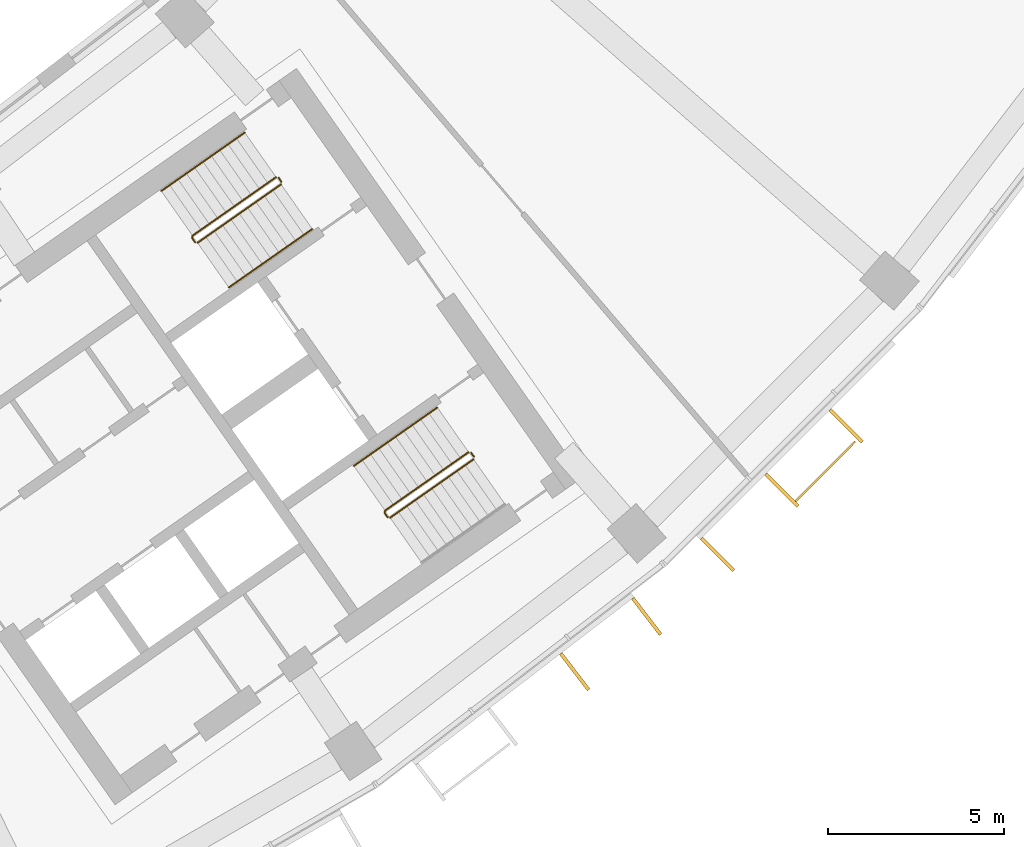
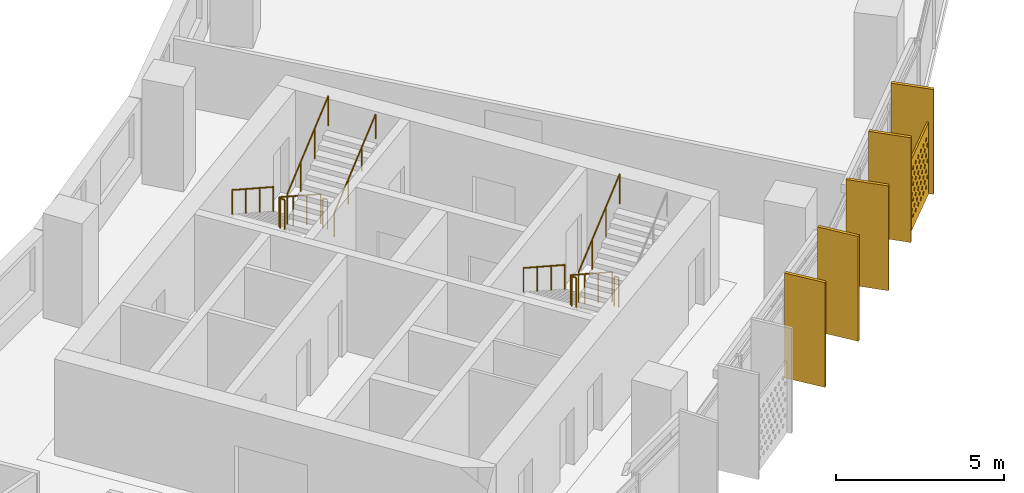
# One storey, part 26 of 27: 9 railings, 6 shading devices.
"""IFC4 building model written with IfcOpenShell, lengths in metres."""

from ifc_helpers import new_model, si_unit, direction, frame, origin, origin_2d, place, context, subcontext, project, spatial, polyline, rectangle, circle, outline, extrude, material, material_profile, profile_set, type_object, element, save


model = new_model("IFC4")

# Units and contexts
model_context = context("Model", 3, precision=1e-05, world=origin(), true_north=direction((0.0, 1.0)))
body_context = subcontext(model_context, "Body", "Model", "MODEL_VIEW")
ifc_project = project(units=[si_unit("LENGTHUNIT", "METRE"), si_unit("AREAUNIT", "SQUARE_METRE"), si_unit("VOLUMEUNIT", "CUBIC_METRE"), si_unit("PLANEANGLEUNIT", "RADIAN"), si_unit("MASSUNIT", "GRAM", prefix="KILO")], contexts=[model_context])

# Site, building, storey
site_placement = place(None, origin())
site = spatial("IfcSite", under=ifc_project, at=site_placement, CompositionType="ELEMENT")
building_placement = place(site_placement, origin())
building = spatial("IfcBuilding", under=site, at=building_placement, Name="Qamariyya Broadcast Tower", CompositionType="ELEMENT")
storey_placement = place(building_placement, frame((0.0, 0.0, 191.10009765625)))
storey = spatial("IfcBuildingStorey", under=building, at=storey_placement, Name="L45", CompositionType="ELEMENT", Elevation=191.10009765625)

# Shading device
ifc_material_1 = material(Name="Perforated glazed terracotta", Category="masonry")
ifc_material_profile_1 = material_profile(ifc_material_1, outline(polyline([(-1.199951171875, -1.300048828125), (1.199951171875, -1.300048828125), (1.199951171875, 1.300048828125), (-1.199951171875, 1.300048828125), (-1.199951171875, -1.300048828125)]), holes=[polyline([(-0.81494140625, -0.86669921875), (-0.89990234375, -0.78173828125), (-0.985107421875, -0.86669921875), (-0.89990234375, -0.95166015625), (-0.81494140625, -0.86669921875)]), polyline([(-0.514892578125, -0.86669921875), (-0.60009765625, -0.78173828125), (-0.68505859375, -0.86669921875), (-0.60009765625, -0.95166015625), (-0.514892578125, -0.86669921875)]), polyline([(-0.215087890625, -0.86669921875), (-0.300048828125, -0.78173828125), (-0.385009765625, -0.86669921875), (-0.300048828125, -0.95166015625), (-0.215087890625, -0.86669921875)]), polyline([(0.0849609375, -0.86669921875), (0.0, -0.78173828125), (-0.0849609375, -0.86669921875), (0.0, -0.95166015625), (0.0849609375, -0.86669921875)]), polyline([(0.385009765625, -0.86669921875), (0.300048828125, -0.78173828125), (0.215087890625, -0.86669921875), (0.300048828125, -0.95166015625), (0.385009765625, -0.86669921875)]), polyline([(0.68505859375, -0.86669921875), (0.60009765625, -0.78173828125), (0.514892578125, -0.86669921875), (0.60009765625, -0.95166015625), (0.68505859375, -0.86669921875)]), polyline([(0.985107421875, -0.86669921875), (0.89990234375, -0.78173828125), (0.81494140625, -0.86669921875), (0.89990234375, -0.95166015625), (0.985107421875, -0.86669921875)]), polyline([(-0.965087890625, -0.577880859375), (-1.050048828125, -0.49267578125), (-1.135009765625, -0.577880859375), (-1.050048828125, -0.662841796875), (-0.965087890625, -0.577880859375)]), polyline([(-0.6650390625, -0.577880859375), (-0.75, -0.49267578125), (-0.8349609375, -0.577880859375), (-0.75, -0.662841796875), (-0.6650390625, -0.577880859375)]), polyline([(-0.364990234375, -0.577880859375), (-0.449951171875, -0.49267578125), (-0.534912109375, -0.577880859375), (-0.449951171875, -0.662841796875), (-0.364990234375, -0.577880859375)]), polyline([(-0.06494140625, -0.577880859375), (-0.14990234375, -0.49267578125), (-0.235107421875, -0.577880859375), (-0.14990234375, -0.662841796875), (-0.06494140625, -0.577880859375)]), polyline([(0.235107421875, -0.577880859375), (0.14990234375, -0.49267578125), (0.06494140625, -0.577880859375), (0.14990234375, -0.662841796875), (0.235107421875, -0.577880859375)]), polyline([(0.534912109375, -0.577880859375), (0.449951171875, -0.49267578125), (0.364990234375, -0.577880859375), (0.449951171875, -0.662841796875), (0.534912109375, -0.577880859375)]), polyline([(0.8349609375, -0.577880859375), (0.75, -0.49267578125), (0.6650390625, -0.577880859375), (0.75, -0.662841796875), (0.8349609375, -0.577880859375)]), polyline([(1.135009765625, -0.577880859375), (1.050048828125, -0.49267578125), (0.965087890625, -0.577880859375), (1.050048828125, -0.662841796875), (1.135009765625, -0.577880859375)]), polyline([(-0.81494140625, -0.288818359375), (-0.89990234375, -0.203857421875), (-0.985107421875, -0.288818359375), (-0.89990234375, -0.373779296875), (-0.81494140625, -0.288818359375)]), polyline([(-0.514892578125, -0.288818359375), (-0.60009765625, -0.203857421875), (-0.68505859375, -0.288818359375), (-0.60009765625, -0.373779296875), (-0.514892578125, -0.288818359375)]), polyline([(-0.215087890625, -0.288818359375), (-0.300048828125, -0.203857421875), (-0.385009765625, -0.288818359375), (-0.300048828125, -0.373779296875), (-0.215087890625, -0.288818359375)]), polyline([(0.0849609375, -0.288818359375), (0.0, -0.203857421875), (-0.0849609375, -0.288818359375), (0.0, -0.373779296875), (0.0849609375, -0.288818359375)]), polyline([(0.385009765625, -0.288818359375), (0.300048828125, -0.203857421875), (0.215087890625, -0.288818359375), (0.300048828125, -0.373779296875), (0.385009765625, -0.288818359375)]), polyline([(0.68505859375, -0.288818359375), (0.60009765625, -0.203857421875), (0.514892578125, -0.288818359375), (0.60009765625, -0.373779296875), (0.68505859375, -0.288818359375)]), polyline([(0.985107421875, -0.288818359375), (0.89990234375, -0.203857421875), (0.81494140625, -0.288818359375), (0.89990234375, -0.373779296875), (0.985107421875, -0.288818359375)]), polyline([(-0.965087890625, 0.0), (-1.050048828125, 0.0849609375), (-1.135009765625, 0.0), (-1.050048828125, -0.0849609375), (-0.965087890625, 0.0)]), polyline([(-0.6650390625, 0.0), (-0.75, 0.0849609375), (-0.8349609375, 0.0), (-0.75, -0.0849609375), (-0.6650390625, 0.0)]), polyline([(-0.364990234375, 0.0), (-0.449951171875, 0.0849609375), (-0.534912109375, 0.0), (-0.449951171875, -0.0849609375), (-0.364990234375, 0.0)]), polyline([(-0.06494140625, 0.0), (-0.14990234375, 0.0849609375), (-0.235107421875, 0.0), (-0.14990234375, -0.0849609375), (-0.06494140625, 0.0)]), polyline([(0.235107421875, 0.0), (0.14990234375, 0.0849609375), (0.06494140625, 0.0), (0.14990234375, -0.0849609375), (0.235107421875, 0.0)]), polyline([(0.534912109375, 0.0), (0.449951171875, 0.0849609375), (0.364990234375, 0.0), (0.449951171875, -0.0849609375), (0.534912109375, 0.0)]), polyline([(0.8349609375, 0.0), (0.75, 0.0849609375), (0.6650390625, 0.0), (0.75, -0.0849609375), (0.8349609375, 0.0)]), polyline([(1.135009765625, 0.0), (1.050048828125, 0.0849609375), (0.965087890625, 0.0), (1.050048828125, -0.0849609375), (1.135009765625, 0.0)]), polyline([(-0.81494140625, 0.288818359375), (-0.89990234375, 0.373779296875), (-0.985107421875, 0.288818359375), (-0.89990234375, 0.203857421875), (-0.81494140625, 0.288818359375)]), polyline([(-0.514892578125, 0.288818359375), (-0.60009765625, 0.373779296875), (-0.68505859375, 0.288818359375), (-0.60009765625, 0.203857421875), (-0.514892578125, 0.288818359375)]), polyline([(-0.215087890625, 0.288818359375), (-0.300048828125, 0.373779296875), (-0.385009765625, 0.288818359375), (-0.300048828125, 0.203857421875), (-0.215087890625, 0.288818359375)]), polyline([(0.0849609375, 0.288818359375), (0.0, 0.373779296875), (-0.0849609375, 0.288818359375), (0.0, 0.203857421875), (0.0849609375, 0.288818359375)]), polyline([(0.385009765625, 0.288818359375), (0.300048828125, 0.373779296875), (0.215087890625, 0.288818359375), (0.300048828125, 0.203857421875), (0.385009765625, 0.288818359375)]), polyline([(0.68505859375, 0.288818359375), (0.60009765625, 0.373779296875), (0.514892578125, 0.288818359375), (0.60009765625, 0.203857421875), (0.68505859375, 0.288818359375)]), polyline([(0.985107421875, 0.288818359375), (0.89990234375, 0.373779296875), (0.81494140625, 0.288818359375), (0.89990234375, 0.203857421875), (0.985107421875, 0.288818359375)]), polyline([(-0.965087890625, 0.577880859375), (-1.050048828125, 0.662841796875), (-1.135009765625, 0.577880859375), (-1.050048828125, 0.49267578125), (-0.965087890625, 0.577880859375)]), polyline([(-0.6650390625, 0.577880859375), (-0.75, 0.662841796875), (-0.8349609375, 0.577880859375), (-0.75, 0.49267578125), (-0.6650390625, 0.577880859375)]), polyline([(-0.364990234375, 0.577880859375), (-0.449951171875, 0.662841796875), (-0.534912109375, 0.577880859375), (-0.449951171875, 0.49267578125), (-0.364990234375, 0.577880859375)]), polyline([(-0.06494140625, 0.577880859375), (-0.14990234375, 0.662841796875), (-0.235107421875, 0.577880859375), (-0.14990234375, 0.49267578125), (-0.06494140625, 0.577880859375)]), polyline([(0.235107421875, 0.577880859375), (0.14990234375, 0.662841796875), (0.06494140625, 0.577880859375), (0.14990234375, 0.49267578125), (0.235107421875, 0.577880859375)]), polyline([(0.534912109375, 0.577880859375), (0.449951171875, 0.662841796875), (0.364990234375, 0.577880859375), (0.449951171875, 0.49267578125), (0.534912109375, 0.577880859375)]), polyline([(0.8349609375, 0.577880859375), (0.75, 0.662841796875), (0.6650390625, 0.577880859375), (0.75, 0.49267578125), (0.8349609375, 0.577880859375)]), polyline([(1.135009765625, 0.577880859375), (1.050048828125, 0.662841796875), (0.965087890625, 0.577880859375), (1.050048828125, 0.49267578125), (1.135009765625, 0.577880859375)]), polyline([(-0.81494140625, 0.86669921875), (-0.89990234375, 0.95166015625), (-0.985107421875, 0.86669921875), (-0.89990234375, 0.78173828125), (-0.81494140625, 0.86669921875)]), polyline([(-0.514892578125, 0.86669921875), (-0.60009765625, 0.95166015625), (-0.68505859375, 0.86669921875), (-0.60009765625, 0.78173828125), (-0.514892578125, 0.86669921875)]), polyline([(-0.215087890625, 0.86669921875), (-0.300048828125, 0.95166015625), (-0.385009765625, 0.86669921875), (-0.300048828125, 0.78173828125), (-0.215087890625, 0.86669921875)]), polyline([(0.0849609375, 0.86669921875), (0.0, 0.95166015625), (-0.0849609375, 0.86669921875), (0.0, 0.78173828125), (0.0849609375, 0.86669921875)]), polyline([(0.385009765625, 0.86669921875), (0.300048828125, 0.95166015625), (0.215087890625, 0.86669921875), (0.300048828125, 0.78173828125), (0.385009765625, 0.86669921875)]), polyline([(0.68505859375, 0.86669921875), (0.60009765625, 0.95166015625), (0.514892578125, 0.86669921875), (0.60009765625, 0.78173828125), (0.68505859375, 0.86669921875)]), polyline([(0.985107421875, 0.86669921875), (0.89990234375, 0.95166015625), (0.81494140625, 0.86669921875), (0.89990234375, 0.78173828125), (0.985107421875, 0.86669921875)])]))
ifc_profile_set_1 = profile_set([ifc_material_profile_1], Name="Perforated glazed terracotta")
shading_device_type_1 = type_object("IfcShadingDeviceType", Name="Perforated terracotta screen 2400 x 2600", PredefinedType="USERDEFINED", material=ifc_profile_set_1)
shading_device_placement = place(storey_placement, frame((56.6103515625, -56.66943359375, 1.349853515625), z_axis=(0.709141608176, -0.705066081692, 0.0), x_axis=(0.705066081692, 0.709141608176, 0.0)))
element("IfcShadingDevice", 1, at=shading_device_placement, inside=storey, type_object=shading_device_type_1, Name="e-scr-L45-13-1", ObjectType="SCREEN", PredefinedType="USERDEFINED", context=body_context, shape_type="SweptSolid", body=[
    extrude(outline(polyline([(-1.199951171875, -1.300048828125), (1.199951171875, -1.300048828125), (1.199951171875, 1.300048828125), (-1.199951171875, 1.300048828125), (-1.199951171875, -1.300048828125)]), holes=[polyline([(-0.81494140625, -0.86669921875), (-0.89990234375, -0.78173828125), (-0.985107421875, -0.86669921875), (-0.89990234375, -0.95166015625), (-0.81494140625, -0.86669921875)]), polyline([(-0.514892578125, -0.86669921875), (-0.60009765625, -0.78173828125), (-0.68505859375, -0.86669921875), (-0.60009765625, -0.95166015625), (-0.514892578125, -0.86669921875)]), polyline([(-0.215087890625, -0.86669921875), (-0.300048828125, -0.78173828125), (-0.385009765625, -0.86669921875), (-0.300048828125, -0.95166015625), (-0.215087890625, -0.86669921875)]), polyline([(0.0849609375, -0.86669921875), (0.0, -0.78173828125), (-0.0849609375, -0.86669921875), (0.0, -0.95166015625), (0.0849609375, -0.86669921875)]), polyline([(0.385009765625, -0.86669921875), (0.300048828125, -0.78173828125), (0.215087890625, -0.86669921875), (0.300048828125, -0.95166015625), (0.385009765625, -0.86669921875)]), polyline([(0.68505859375, -0.86669921875), (0.60009765625, -0.78173828125), (0.514892578125, -0.86669921875), (0.60009765625, -0.95166015625), (0.68505859375, -0.86669921875)]), polyline([(0.985107421875, -0.86669921875), (0.89990234375, -0.78173828125), (0.81494140625, -0.86669921875), (0.89990234375, -0.95166015625), (0.985107421875, -0.86669921875)]), polyline([(-0.965087890625, -0.577880859375), (-1.050048828125, -0.49267578125), (-1.135009765625, -0.577880859375), (-1.050048828125, -0.662841796875), (-0.965087890625, -0.577880859375)]), polyline([(-0.6650390625, -0.577880859375), (-0.75, -0.49267578125), (-0.8349609375, -0.577880859375), (-0.75, -0.662841796875), (-0.6650390625, -0.577880859375)]), polyline([(-0.364990234375, -0.577880859375), (-0.449951171875, -0.49267578125), (-0.534912109375, -0.577880859375), (-0.449951171875, -0.662841796875), (-0.364990234375, -0.577880859375)]), polyline([(-0.06494140625, -0.577880859375), (-0.14990234375, -0.49267578125), (-0.235107421875, -0.577880859375), (-0.14990234375, -0.662841796875), (-0.06494140625, -0.577880859375)]), polyline([(0.235107421875, -0.577880859375), (0.14990234375, -0.49267578125), (0.06494140625, -0.577880859375), (0.14990234375, -0.662841796875), (0.235107421875, -0.577880859375)]), polyline([(0.534912109375, -0.577880859375), (0.449951171875, -0.49267578125), (0.364990234375, -0.577880859375), (0.449951171875, -0.662841796875), (0.534912109375, -0.577880859375)]), polyline([(0.8349609375, -0.577880859375), (0.75, -0.49267578125), (0.6650390625, -0.577880859375), (0.75, -0.662841796875), (0.8349609375, -0.577880859375)]), polyline([(1.135009765625, -0.577880859375), (1.050048828125, -0.49267578125), (0.965087890625, -0.577880859375), (1.050048828125, -0.662841796875), (1.135009765625, -0.577880859375)]), polyline([(-0.81494140625, -0.288818359375), (-0.89990234375, -0.203857421875), (-0.985107421875, -0.288818359375), (-0.89990234375, -0.373779296875), (-0.81494140625, -0.288818359375)]), polyline([(-0.514892578125, -0.288818359375), (-0.60009765625, -0.203857421875), (-0.68505859375, -0.288818359375), (-0.60009765625, -0.373779296875), (-0.514892578125, -0.288818359375)]), polyline([(-0.215087890625, -0.288818359375), (-0.300048828125, -0.203857421875), (-0.385009765625, -0.288818359375), (-0.300048828125, -0.373779296875), (-0.215087890625, -0.288818359375)]), polyline([(0.0849609375, -0.288818359375), (0.0, -0.203857421875), (-0.0849609375, -0.288818359375), (0.0, -0.373779296875), (0.0849609375, -0.288818359375)]), polyline([(0.385009765625, -0.288818359375), (0.300048828125, -0.203857421875), (0.215087890625, -0.288818359375), (0.300048828125, -0.373779296875), (0.385009765625, -0.288818359375)]), polyline([(0.68505859375, -0.288818359375), (0.60009765625, -0.203857421875), (0.514892578125, -0.288818359375), (0.60009765625, -0.373779296875), (0.68505859375, -0.288818359375)]), polyline([(0.985107421875, -0.288818359375), (0.89990234375, -0.203857421875), (0.81494140625, -0.288818359375), (0.89990234375, -0.373779296875), (0.985107421875, -0.288818359375)]), polyline([(-0.965087890625, 0.0), (-1.050048828125, 0.0849609375), (-1.135009765625, 0.0), (-1.050048828125, -0.0849609375), (-0.965087890625, 0.0)]), polyline([(-0.6650390625, 0.0), (-0.75, 0.0849609375), (-0.8349609375, 0.0), (-0.75, -0.0849609375), (-0.6650390625, 0.0)]), polyline([(-0.364990234375, 0.0), (-0.449951171875, 0.0849609375), (-0.534912109375, 0.0), (-0.449951171875, -0.0849609375), (-0.364990234375, 0.0)]), polyline([(-0.06494140625, 0.0), (-0.14990234375, 0.0849609375), (-0.235107421875, 0.0), (-0.14990234375, -0.0849609375), (-0.06494140625, 0.0)]), polyline([(0.235107421875, 0.0), (0.14990234375, 0.0849609375), (0.06494140625, 0.0), (0.14990234375, -0.0849609375), (0.235107421875, 0.0)]), polyline([(0.534912109375, 0.0), (0.449951171875, 0.0849609375), (0.364990234375, 0.0), (0.449951171875, -0.0849609375), (0.534912109375, 0.0)]), polyline([(0.8349609375, 0.0), (0.75, 0.0849609375), (0.6650390625, 0.0), (0.75, -0.0849609375), (0.8349609375, 0.0)]), polyline([(1.135009765625, 0.0), (1.050048828125, 0.0849609375), (0.965087890625, 0.0), (1.050048828125, -0.0849609375), (1.135009765625, 0.0)]), polyline([(-0.81494140625, 0.288818359375), (-0.89990234375, 0.373779296875), (-0.985107421875, 0.288818359375), (-0.89990234375, 0.203857421875), (-0.81494140625, 0.288818359375)]), polyline([(-0.514892578125, 0.288818359375), (-0.60009765625, 0.373779296875), (-0.68505859375, 0.288818359375), (-0.60009765625, 0.203857421875), (-0.514892578125, 0.288818359375)]), polyline([(-0.215087890625, 0.288818359375), (-0.300048828125, 0.373779296875), (-0.385009765625, 0.288818359375), (-0.300048828125, 0.203857421875), (-0.215087890625, 0.288818359375)]), polyline([(0.0849609375, 0.288818359375), (0.0, 0.373779296875), (-0.0849609375, 0.288818359375), (0.0, 0.203857421875), (0.0849609375, 0.288818359375)]), polyline([(0.385009765625, 0.288818359375), (0.300048828125, 0.373779296875), (0.215087890625, 0.288818359375), (0.300048828125, 0.203857421875), (0.385009765625, 0.288818359375)]), polyline([(0.68505859375, 0.288818359375), (0.60009765625, 0.373779296875), (0.514892578125, 0.288818359375), (0.60009765625, 0.203857421875), (0.68505859375, 0.288818359375)]), polyline([(0.985107421875, 0.288818359375), (0.89990234375, 0.373779296875), (0.81494140625, 0.288818359375), (0.89990234375, 0.203857421875), (0.985107421875, 0.288818359375)]), polyline([(-0.965087890625, 0.577880859375), (-1.050048828125, 0.662841796875), (-1.135009765625, 0.577880859375), (-1.050048828125, 0.49267578125), (-0.965087890625, 0.577880859375)]), polyline([(-0.6650390625, 0.577880859375), (-0.75, 0.662841796875), (-0.8349609375, 0.577880859375), (-0.75, 0.49267578125), (-0.6650390625, 0.577880859375)]), polyline([(-0.364990234375, 0.577880859375), (-0.449951171875, 0.662841796875), (-0.534912109375, 0.577880859375), (-0.449951171875, 0.49267578125), (-0.364990234375, 0.577880859375)]), polyline([(-0.06494140625, 0.577880859375), (-0.14990234375, 0.662841796875), (-0.235107421875, 0.577880859375), (-0.14990234375, 0.49267578125), (-0.06494140625, 0.577880859375)]), polyline([(0.235107421875, 0.577880859375), (0.14990234375, 0.662841796875), (0.06494140625, 0.577880859375), (0.14990234375, 0.49267578125), (0.235107421875, 0.577880859375)]), polyline([(0.534912109375, 0.577880859375), (0.449951171875, 0.662841796875), (0.364990234375, 0.577880859375), (0.449951171875, 0.49267578125), (0.534912109375, 0.577880859375)]), polyline([(0.8349609375, 0.577880859375), (0.75, 0.662841796875), (0.6650390625, 0.577880859375), (0.75, 0.49267578125), (0.8349609375, 0.577880859375)]), polyline([(1.135009765625, 0.577880859375), (1.050048828125, 0.662841796875), (0.965087890625, 0.577880859375), (1.050048828125, 0.49267578125), (1.135009765625, 0.577880859375)]), polyline([(-0.81494140625, 0.86669921875), (-0.89990234375, 0.95166015625), (-0.985107421875, 0.86669921875), (-0.89990234375, 0.78173828125), (-0.81494140625, 0.86669921875)]), polyline([(-0.514892578125, 0.86669921875), (-0.60009765625, 0.95166015625), (-0.68505859375, 0.86669921875), (-0.60009765625, 0.78173828125), (-0.514892578125, 0.86669921875)]), polyline([(-0.215087890625, 0.86669921875), (-0.300048828125, 0.95166015625), (-0.385009765625, 0.86669921875), (-0.300048828125, 0.78173828125), (-0.215087890625, 0.86669921875)]), polyline([(0.0849609375, 0.86669921875), (0.0, 0.95166015625), (-0.0849609375, 0.86669921875), (0.0, 0.78173828125), (0.0849609375, 0.86669921875)]), polyline([(0.385009765625, 0.86669921875), (0.300048828125, 0.95166015625), (0.215087890625, 0.86669921875), (0.300048828125, 0.78173828125), (0.385009765625, 0.86669921875)]), polyline([(0.68505859375, 0.86669921875), (0.60009765625, 0.95166015625), (0.514892578125, 0.86669921875), (0.60009765625, 0.78173828125), (0.68505859375, 0.86669921875)]), polyline([(0.985107421875, 0.86669921875), (0.89990234375, 0.95166015625), (0.81494140625, 0.86669921875), (0.89990234375, 0.78173828125), (0.985107421875, 0.86669921875)])]), origin(), (0.0, 0.0, 1.0), 0.059814453125),
])

# Railings
ifc_material_2 = material(Name="Painted steel", Category="steel")
railing_type_1 = type_object("IfcRailingType", Name="Stair guard", PredefinedType="GUARDRAIL", material=ifc_material_2)
railing_1_placement = place(storey_placement, frame((41.003173828125, -48.320068359375, 0.172607421875)))
element("IfcRailing", 2, at=railing_1_placement, inside=storey, type_object=railing_type_1, Name="L45 ST-E2 stair guard 1", PredefinedType="GUARDRAIL", context=body_context, shape_type="SweptSolid", body=[
    extrude(circle(Radius=0.02392578125, at=origin_2d()), frame((0.0, 0.0, 1.076171875), z_axis=(-0.703770094002, -0.492783725636, 0.511734163933), x_axis=(0.573575343427, -0.819152809562, 0.0)), (0.0, 0.0, 1.0), 3.37548828125),
    extrude(circle(Radius=0.02392578125, at=origin_2d()), frame((-2.37548828125, -1.663330078125, 2.80322265625), z_axis=(-0.172799478008, -0.984957024646, 0.0), x_axis=(0.984957024646, -0.172799478008, 0.0)), (0.0, 0.0, 1.0), 0.070556640625),
    extrude(circle(Radius=0.02392578125, at=origin_2d()), frame((-2.3876953125, -1.73291015625, 2.80322265625), z_axis=(0.572588637393, -0.819842821722, 0.0), x_axis=(0.819842821722, 0.572588637393, 0.0)), (0.0, 0.0, 1.0), 0.150146484375),
    extrude(circle(Radius=0.02099609375, at=origin_2d()), origin(), (0.0, 0.0, 1.0), 1.052001953125),
    extrude(circle(Radius=0.02099609375, at=origin_2d()), frame((-0.791748046875, -0.554443359375, 0.57568359375)), (0.0, 0.0, 1.0), 1.052001953125),
    extrude(circle(Radius=0.02099609375, at=origin_2d()), frame((-1.583740234375, -1.10888671875, 1.151611328125)), (0.0, 0.0, 1.0), 1.052001953125),
    extrude(circle(Radius=0.02099609375, at=origin_2d()), frame((-2.37548828125, -1.663330078125, 1.727294921875)), (0.0, 0.0, 1.0), 1.052001953125),
    extrude(circle(Radius=0.02099609375, at=origin_2d()), frame((-2.3876953125, -1.73291015625, 1.727294921875)), (0.0, 0.0, 1.0), 1.052001953125),
    extrude(circle(Radius=0.02099609375, at=origin_2d()), frame((-2.3017578125, -1.85595703125, 1.727294921875)), (0.0, 0.0, 1.0), 1.052001953125),
])
railing_2_placement = place(storey_placement, frame((38.771240234375, -50.188232421875, 2.072509765625)))
element("IfcRailing", 3, at=railing_2_placement, inside=storey, type_object=railing_type_1, Name="L45 ST-E2 stair guard 2", PredefinedType="GUARDRAIL", context=body_context, shape_type="SweptSolid", body=[
    extrude(circle(Radius=0.02392578125, at=origin_2d()), frame((0.0, 0.0, 1.076171875), z_axis=(0.703770094002, 0.492783725636, 0.511734163933), x_axis=(-0.573575343427, 0.819152809562, 0.0)), (0.0, 0.0, 1.0), 3.37548828125),
    extrude(circle(Radius=0.02099609375, at=origin_2d()), origin(), (0.0, 0.0, 1.0), 1.052001953125),
    extrude(circle(Radius=0.02099609375, at=origin_2d()), frame((0.791748046875, 0.554443359375, 0.57568359375)), (0.0, 0.0, 1.0), 1.052001953125),
    extrude(circle(Radius=0.02099609375, at=origin_2d()), frame((1.583740234375, 1.10888671875, 1.151611328125)), (0.0, 0.0, 1.0), 1.052001953125),
    extrude(circle(Radius=0.02099609375, at=origin_2d()), frame((2.37548828125, 1.663330078125, 1.727294921875)), (0.0, 0.0, 1.0), 1.052001953125),
])
railing_3_placement = place(storey_placement, frame((41.072998046875, -48.332275390625, 0.0)))
element("IfcRailing", 4, at=railing_3_placement, inside=storey, type_object=railing_type_1, Name="L45 ST-E2 stair guard 3", PredefinedType="GUARDRAIL", context=body_context, shape_type="SweptSolid", body=[
    extrude(circle(Radius=0.02392578125, at=origin_2d()), frame((0.0, 0.0, 1.076171875), z_axis=(0.572588637393, -0.819842821722, 0.0), x_axis=(0.819842821722, 0.572588637393, 0.0)), (0.0, 0.0, 1.0), 0.150146484375),
    extrude(circle(Radius=0.02099609375, at=origin_2d()), origin(), (0.0, 0.0, 1.0), 1.052001953125),
    extrude(circle(Radius=0.02099609375, at=origin_2d()), frame((0.0859375, -0.123046875, 0.0)), (0.0, 0.0, 1.0), 1.052001953125),
])
railing_4_placement = place(storey_placement, frame((46.48095703125, -56.14306640625, 0.172607421875)))
element("IfcRailing", 5, at=railing_4_placement, inside=storey, type_object=railing_type_1, Name="L45 ST-E1 stair guard 1", PredefinedType="GUARDRAIL", context=body_context, shape_type="SweptSolid", body=[
    extrude(circle(Radius=0.02392578125, at=origin_2d()), frame((0.0, 0.0, 1.076171875), z_axis=(-0.703770094002, -0.492783725636, 0.511734163933), x_axis=(0.573575343427, -0.819152809562, 0.0)), (0.0, 0.0, 1.0), 3.37548828125),
    extrude(circle(Radius=0.02392578125, at=origin_2d()), frame((-2.37548828125, -1.663330078125, 2.80322265625), z_axis=(-0.176149252506, -0.984363469884, 0.0), x_axis=(0.984363469884, -0.176149252506, 0.0)), (0.0, 0.0, 1.0), 0.07080078125),
    extrude(circle(Radius=0.02392578125, at=origin_2d()), frame((-2.387939453125, -1.73291015625, 2.80322265625), z_axis=(0.574444878118, -0.818543268254, 0.0), x_axis=(0.818543268254, 0.574444878118, 0.0)), (0.0, 0.0, 1.0), 0.150146484375),
    extrude(circle(Radius=0.02099609375, at=origin_2d()), origin(), (0.0, 0.0, 1.0), 1.052001953125),
    extrude(circle(Radius=0.02099609375, at=origin_2d()), frame((-0.791748046875, -0.554443359375, 0.57568359375)), (0.0, 0.0, 1.0), 1.052001953125),
    extrude(circle(Radius=0.02099609375, at=origin_2d()), frame((-1.583740234375, -1.10888671875, 1.151611328125)), (0.0, 0.0, 1.0), 1.052001953125),
    extrude(circle(Radius=0.02099609375, at=origin_2d()), frame((-2.37548828125, -1.663330078125, 1.727294921875)), (0.0, 0.0, 1.0), 1.052001953125),
    extrude(circle(Radius=0.02099609375, at=origin_2d()), frame((-2.387939453125, -1.73291015625, 1.727294921875)), (0.0, 0.0, 1.0), 1.052001953125),
    extrude(circle(Radius=0.02099609375, at=origin_2d()), frame((-2.3017578125, -1.855712890625, 1.727294921875)), (0.0, 0.0, 1.0), 1.052001953125),
])
railing_5_placement = place(storey_placement, frame((44.248779296875, -58.01123046875, 2.072509765625)))
element("IfcRailing", 6, at=railing_5_placement, inside=storey, type_object=railing_type_1, Name="L45 ST-E1 stair guard 2", PredefinedType="GUARDRAIL", context=body_context, shape_type="SweptSolid", body=[
    extrude(circle(Radius=0.02392578125, at=origin_2d()), frame((0.0, 0.0, 1.076171875), z_axis=(0.703745009021, 0.492838488332, 0.511715923826), x_axis=(-0.573631830683, 0.819113253969, 0.0)), (0.0, 0.0, 1.0), 3.37548828125),
    extrude(circle(Radius=0.02099609375, at=origin_2d()), origin(), (0.0, 0.0, 1.0), 1.052001953125),
    extrude(circle(Radius=0.02099609375, at=origin_2d()), frame((0.791748046875, 0.554443359375, 0.57568359375)), (0.0, 0.0, 1.0), 1.052001953125),
    extrude(circle(Radius=0.02099609375, at=origin_2d()), frame((1.583740234375, 1.109130859375, 1.151611328125)), (0.0, 0.0, 1.0), 1.052001953125),
    extrude(circle(Radius=0.02099609375, at=origin_2d()), frame((2.37548828125, 1.66357421875, 1.727294921875)), (0.0, 0.0, 1.0), 1.052001953125),
])
railing_6_placement = place(storey_placement, frame((46.550537109375, -56.1552734375, 0.0)))
element("IfcRailing", 7, at=railing_6_placement, inside=storey, type_object=railing_type_1, Name="L45 ST-E1 stair guard 3", PredefinedType="GUARDRAIL", context=body_context, shape_type="SweptSolid", body=[
    extrude(circle(Radius=0.02392578125, at=origin_2d()), frame((0.0, 0.0, 1.076171875), z_axis=(0.574444878118, -0.818543268254, 0.0), x_axis=(0.818543268254, 0.574444878118, 0.0)), (0.0, 0.0, 1.0), 0.150146484375),
    extrude(circle(Radius=0.02099609375, at=origin_2d()), origin(), (0.0, 0.0, 1.0), 1.052001953125),
    extrude(circle(Radius=0.02099609375, at=origin_2d()), frame((0.086181640625, -0.122802734375, 0.0)), (0.0, 0.0, 1.0), 1.052001953125),
])
ifc_material_3 = material(Name="Stainless steel", Category="steel")
railing_type_2 = type_object("IfcRailingType", Name="Stair handrail", PredefinedType="HANDRAIL", material=ifc_material_3)
railing_7_placement = place(storey_placement, frame((40.1142578125, -47.05029296875, 0.172607421875)))
element("IfcRailing", 8, at=railing_7_placement, inside=storey, type_object=railing_type_2, Name="L45 ST-E2 stair handrail 1", PredefinedType="HANDRAIL", context=body_context, shape_type="SweptSolid", body=[
    extrude(circle(Radius=0.02392578125, at=origin_2d()), frame((0.0, 0.0, 0.8759765625), z_axis=(-0.703745009021, -0.492838488332, 0.511715923826), x_axis=(0.573631830683, -0.819113253969, 0.0)), (0.0, 0.0, 1.0), 3.37548828125),
    extrude(circle(Radius=0.02099609375, at=origin_2d()), origin(), (0.0, 0.0, 1.0), 0.851806640625),
    extrude(circle(Radius=0.02099609375, at=origin_2d()), frame((-0.791748046875, -0.554443359375, 0.57568359375)), (0.0, 0.0, 1.0), 0.851806640625),
    extrude(circle(Radius=0.02099609375, at=origin_2d()), frame((-1.583740234375, -1.109130859375, 1.151611328125)), (0.0, 0.0, 1.0), 0.851806640625),
    extrude(circle(Radius=0.02099609375, at=origin_2d()), frame((-2.37548828125, -1.66357421875, 1.727294921875)), (0.0, 0.0, 1.0), 0.851806640625),
])
railing_8_placement = place(storey_placement, frame((39.66015625, -51.4580078125, 2.072509765625)))
element("IfcRailing", 9, at=railing_8_placement, inside=storey, type_object=railing_type_2, Name="L45 ST-E2 stair handrail 2", PredefinedType="HANDRAIL", context=body_context, shape_type="SweptSolid", body=[
    extrude(circle(Radius=0.02392578125, at=origin_2d()), frame((0.0, 0.0, 0.8759765625), z_axis=(0.703745009021, 0.492838488332, 0.511715923826), x_axis=(-0.573631830683, 0.819113253969, 0.0)), (0.0, 0.0, 1.0), 3.37548828125),
    extrude(circle(Radius=0.02099609375, at=origin_2d()), origin(), (0.0, 0.0, 1.0), 0.851806640625),
    extrude(circle(Radius=0.02099609375, at=origin_2d()), frame((0.791748046875, 0.554443359375, 0.57568359375)), (0.0, 0.0, 1.0), 0.851806640625),
    extrude(circle(Radius=0.02099609375, at=origin_2d()), frame((1.583740234375, 1.109130859375, 1.151611328125)), (0.0, 0.0, 1.0), 0.851806640625),
    extrude(circle(Radius=0.02099609375, at=origin_2d()), frame((2.37548828125, 1.66357421875, 1.727294921875)), (0.0, 0.0, 1.0), 0.851806640625),
])
railing_9_placement = place(storey_placement, frame((45.591796875, -54.873291015625, 0.172607421875)))
element("IfcRailing", 10, at=railing_9_placement, inside=storey, type_object=railing_type_2, Name="L45 ST-E1 stair handrail 1", PredefinedType="HANDRAIL", context=body_context, shape_type="SweptSolid", body=[
    extrude(circle(Radius=0.02392578125, at=origin_2d()), frame((0.0, 0.0, 0.8759765625), z_axis=(-0.703770094002, -0.492783725636, 0.511734163933), x_axis=(0.573575343427, -0.819152809562, 0.0)), (0.0, 0.0, 1.0), 3.37548828125),
    extrude(circle(Radius=0.02099609375, at=origin_2d()), origin(), (0.0, 0.0, 1.0), 0.851806640625),
    extrude(circle(Radius=0.02099609375, at=origin_2d()), frame((-0.791748046875, -0.554443359375, 0.57568359375)), (0.0, 0.0, 1.0), 0.851806640625),
    extrude(circle(Radius=0.02099609375, at=origin_2d()), frame((-1.583740234375, -1.10888671875, 1.151611328125)), (0.0, 0.0, 1.0), 0.851806640625),
    extrude(circle(Radius=0.02099609375, at=origin_2d()), frame((-2.37548828125, -1.663330078125, 1.727294921875)), (0.0, 0.0, 1.0), 0.851806640625),
])

# Shading devices
ifc_material_4 = material(Name="Glazed terracotta", Category="masonry")
ifc_material_profile_2 = material_profile(ifc_material_4, rectangle(XDim=1.300048828125, YDim=0.10009765625, at=origin_2d()))
ifc_profile_set_2 = profile_set([ifc_material_profile_2], Name="Glazed terracotta")
shading_device_type_2 = type_object("IfcShadingDeviceType", Name="Terracotta fin 100 x 1300", PredefinedType="USERDEFINED", material=ifc_profile_set_2)
for number, where, z_axis, x_axis, name in (
    (11, (49.5009765625, -62.38916015625, 0.0), (0.0, 0.0, 1.0), (0.608761429009, -0.793353340291, 0.0), "e-fin-L45-12-2"),
    (12, (51.550537109375, -60.81640625, 0.0), (0.0, 0.0, 1.0), (0.608761429009, -0.793353340291, 0.0), "e-fin-L45-12-3"),
    (13, (53.5673828125, -59.047607421875, 0.0), (0.0, 0.0, 1.0), (0.707106781187, -0.707106781187, 0.0), "e-fin-L45-13-0"),
    (14, (55.39404296875, -57.220947265625, 0.0), (0.0, 0.0, 1.0), (0.707106781187, -0.707106781187, 0.0), "e-fin-L45-13-1"),
    (15, (57.220947265625, -55.39404296875, 0.0), (0.0, 0.0, 1.0), (0.707106781187, -0.707106781187, 0.0), "e-fin-L45-13-2"),
):
    element("IfcShadingDevice", number, at=place(storey_placement, frame(where, z_axis=z_axis, x_axis=x_axis)), inside=storey, type_object=shading_device_type_2, Name=name, ObjectType="FIN", PredefinedType="USERDEFINED", context=body_context, shape_type="SweptSolid", body=[
        extrude(rectangle(XDim=1.300048828125, YDim=0.10009765625, at=origin_2d()), origin(), (0.0, 0.0, 1.0), 3.7998046875),
    ])

save(model, "model.ifc")
